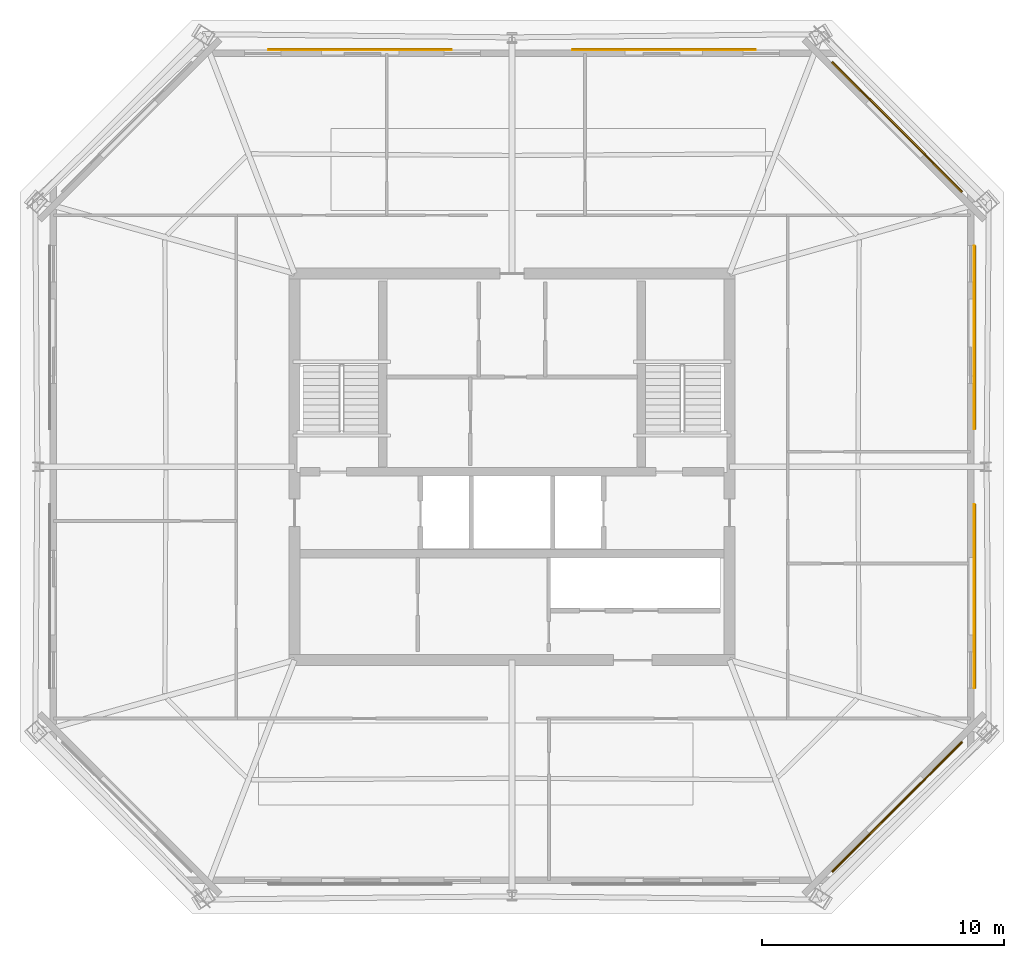
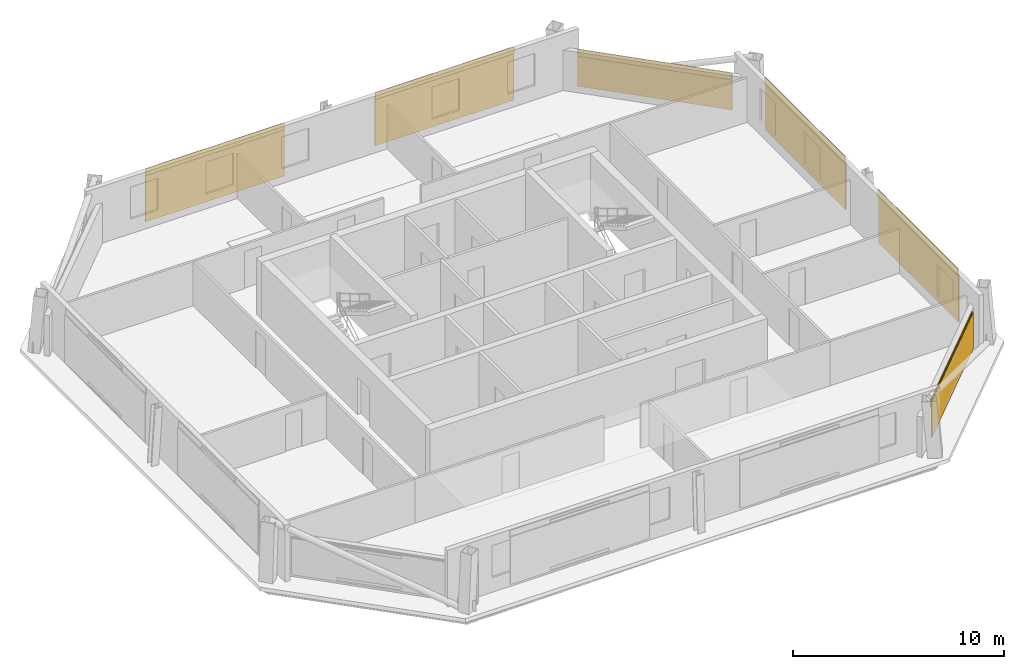
# One storey, part 7 of 7: 6 coverings, 6 shading devices.
"""IFC4 building model written with IfcOpenShell, lengths in metres."""

from ifc_helpers import new_model, si_unit, direction, frame, origin, origin_2d, place, context, subcontext, project, spatial, rectangle, extrude, material, layer, layer_set, type_object, element, save


model = new_model("IFC4")

# Units and contexts
model_context = context("Model", 3, precision=1e-05, world=origin(), true_north=direction((0.0, 1.0)))
body_context = subcontext(model_context, "Body", "Model", "MODEL_VIEW")
ifc_project = project(units=[si_unit("LENGTHUNIT", "METRE"), si_unit("AREAUNIT", "SQUARE_METRE"), si_unit("VOLUMEUNIT", "CUBIC_METRE"), si_unit("PLANEANGLEUNIT", "RADIAN"), si_unit("MASSUNIT", "GRAM", prefix="KILO")], contexts=[model_context])

# Site, building, storey
site_placement = place(None, origin())
site = spatial("IfcSite", under=ifc_project, at=site_placement, CompositionType="ELEMENT")
building_placement = place(site_placement, origin())
building = spatial("IfcBuilding", under=site, at=building_placement, Name="Caelvoria Tower", CompositionType="ELEMENT")
storey_placement = place(building_placement, frame((0.0, 0.0, 231.0)))
storey = spatial("IfcBuildingStorey", under=building, at=storey_placement, Name="L61", CompositionType="ELEMENT", Elevation=231.0)

# Coverings
ifc_material_1 = material(Name="Perforated Architectural Bronze Cladding Screen", Category="bronze")
ifc_layer_1 = layer(ifc_material_1, 0.0400390625, Name="Perforated Architectural Bronze Cladding Screen")
ifc_layer_set_1 = layer_set([ifc_layer_1], Name="Perforated Bronze Louvre Cladding Band 40 - Perforated Architectural Bronze Cladding Screen")
covering_type = type_object("IfcCoveringType", Name="Perforated Bronze Louvre Cladding Band 40", PredefinedType="CLADDING", material=ifc_layer_set_1)
for number, where, z_axis, x_axis, name in (
    (1, (61.921875, 17.9462890625, 1.923095703125), (0.0, 0.0, 1.0), (0.707106781187, 0.707106781187, 0.0), "Perforated Bronze Screen Band L61-E1-00"),
    (2, (65.12353515625, 26.648193359375, 2.860107421875), (0.0, 0.0, 1.0), (0.0, 1.0, 0.0), "Perforated Bronze Screen Band L61-E2-00"),
    (3, (65.12353515625, 37.351806640625, 2.860107421875), (0.0, 0.0, 1.0), (0.0, 1.0, 0.0), "Perforated Bronze Screen Band L61-E2-01"),
    (4, (61.921875, 46.0537109375, 1.923095703125), (0.0, 0.0, 1.0), (-0.707106781187, 0.707106781187, 0.0), "Perforated Bronze Screen Band L61-E3-00"),
    (5, (52.285888671875, 49.25537109375, 2.860107421875), (0.0, 0.0, 1.0), (-1.0, 0.0, 0.0), "Perforated Bronze Screen Band L61-E4-00"),
    (6, (39.714111328125, 49.25537109375, 2.860107421875), (0.0, 0.0, 1.0), (-1.0, 0.0, 0.0), "Perforated Bronze Screen Band L61-E4-01"),
):
    element("IfcCovering", number, at=place(storey_placement, frame(where, z_axis=z_axis, x_axis=x_axis)), inside=storey, type_object=covering_type, Name=name, PredefinedType="CLADDING", context=body_context, shape_type="SweptSolid", body=[
        extrude(rectangle(XDim=7.60009765625, YDim=0.0400390625, at=origin_2d()), origin(), (0.0, 0.0, 1.0), 0.39990234375),
    ])

# Shading devices
ifc_material_2 = material(Name="Perforated Architectural Bronze Alloy Panel", Category="bronze")
ifc_layer_2 = layer(ifc_material_2, 0.044921875, Name="Perforated Architectural Bronze Alloy Panel")
ifc_layer_set_2 = layer_set([ifc_layer_2], Name="Perforated Bronze Solar Screen Panel SCREEN - Perforated Architectural Bronze Alloy Panel")
shading_device_type = type_object("IfcShadingDeviceType", Name="Perforated Bronze Solar Screen Panel SCREEN", PredefinedType="USERDEFINED", material=ifc_layer_set_2)
shading_device_1_placement = place(storey_placement, frame((61.9521484375, 17.916015625, 0.159912109375), z_axis=(0.0, 0.0, 1.0), x_axis=(0.707106781187, 0.707106781187, 0.0)))
element("IfcShadingDevice", 7, at=shading_device_1_placement, inside=storey, type_object=shading_device_type, Name="Perforated Bronze Solar Screen L61-E1-00", ObjectType="SCREEN", PredefinedType="USERDEFINED", context=body_context, shape_type="SweptSolid", body=[
    extrude(rectangle(XDim=7.60009765625, YDim=0.044921875, at=origin_2d()), origin(), (0.0, 0.0, 1.0), 2.10302734375),
])
for number, where, z_axis, x_axis, name in (
    (8, (65.16650390625, 26.648193359375, 0.159912109375), (0.0, 0.0, 1.0), (0.0, 1.0, 0.0), "Perforated Bronze Solar Screen L61-E2-00"),
    (9, (65.16650390625, 37.351806640625, 0.159912109375), (0.0, 0.0, 1.0), (0.0, 1.0, 0.0), "Perforated Bronze Solar Screen L61-E2-01"),
):
    element("IfcShadingDevice", number, at=place(storey_placement, frame(where, z_axis=z_axis, x_axis=x_axis)), inside=storey, type_object=shading_device_type, Name=name, ObjectType="SCREEN", PredefinedType="USERDEFINED", context=body_context, shape_type="SweptSolid", body=[
        extrude(rectangle(XDim=7.60009765625, YDim=0.044921875, at=origin_2d()), origin(), (0.0, 0.0, 1.0), 2.75),
    ])
shading_device_2_placement = place(storey_placement, frame((61.9521484375, 46.083984375, 0.159912109375), z_axis=(0.0, 0.0, 1.0), x_axis=(-0.707106781187, 0.707106781187, 0.0)))
element("IfcShadingDevice", 10, at=shading_device_2_placement, inside=storey, type_object=shading_device_type, Name="Perforated Bronze Solar Screen L61-E3-00", ObjectType="SCREEN", PredefinedType="USERDEFINED", context=body_context, shape_type="SweptSolid", body=[
    extrude(rectangle(XDim=7.60009765625, YDim=0.044921875, at=origin_2d()), origin(), (0.0, 0.0, 1.0), 2.10302734375),
])
for number, where, z_axis, x_axis, name in (
    (11, (52.285888671875, 49.29833984375, 0.159912109375), (0.0, 0.0, 1.0), (-1.0, 0.0, 0.0), "Perforated Bronze Solar Screen L61-E4-00"),
    (12, (39.714111328125, 49.29833984375, 0.159912109375), (0.0, 0.0, 1.0), (-1.0, 0.0, 0.0), "Perforated Bronze Solar Screen L61-E4-01"),
):
    element("IfcShadingDevice", number, at=place(storey_placement, frame(where, z_axis=z_axis, x_axis=x_axis)), inside=storey, type_object=shading_device_type, Name=name, ObjectType="SCREEN", PredefinedType="USERDEFINED", context=body_context, shape_type="SweptSolid", body=[
        extrude(rectangle(XDim=7.60009765625, YDim=0.044921875, at=origin_2d()), origin(), (0.0, 0.0, 1.0), 2.75),
    ])

save(model, "model.ifc")
